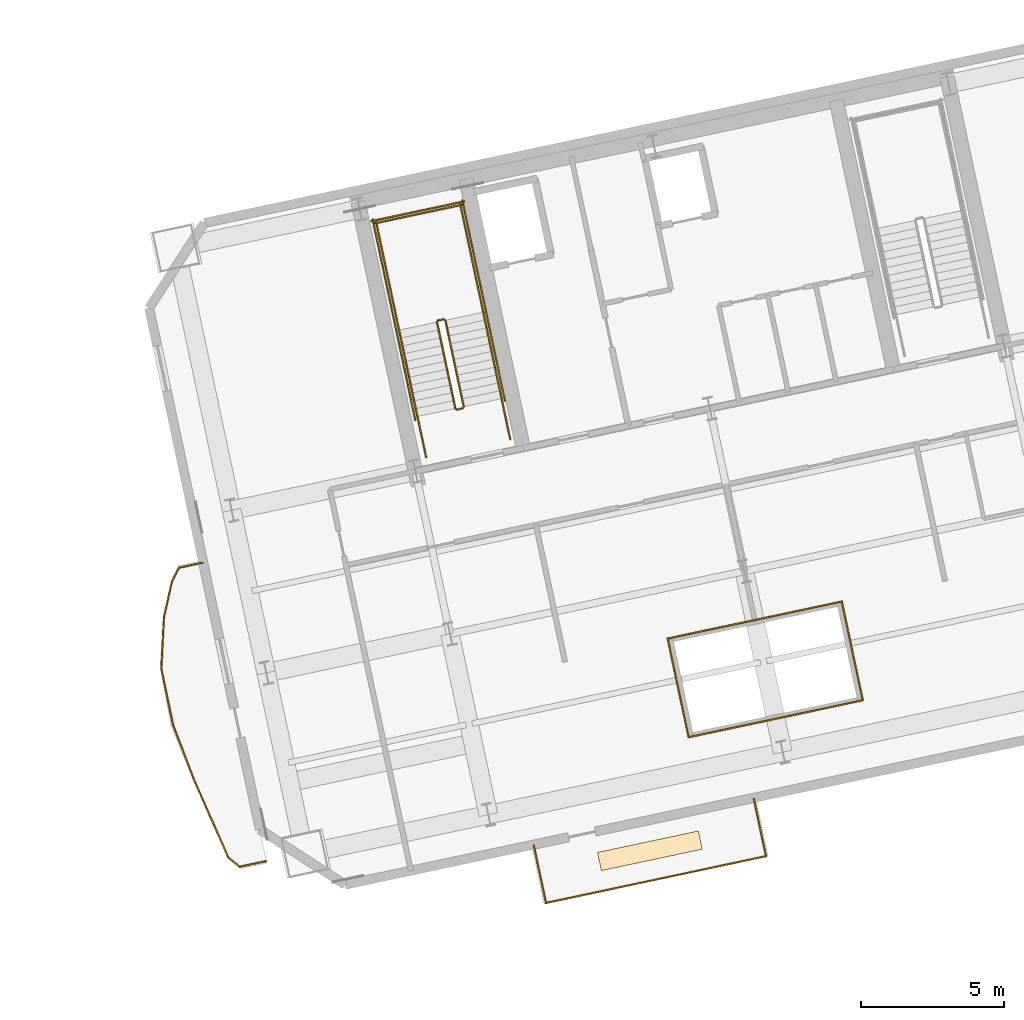
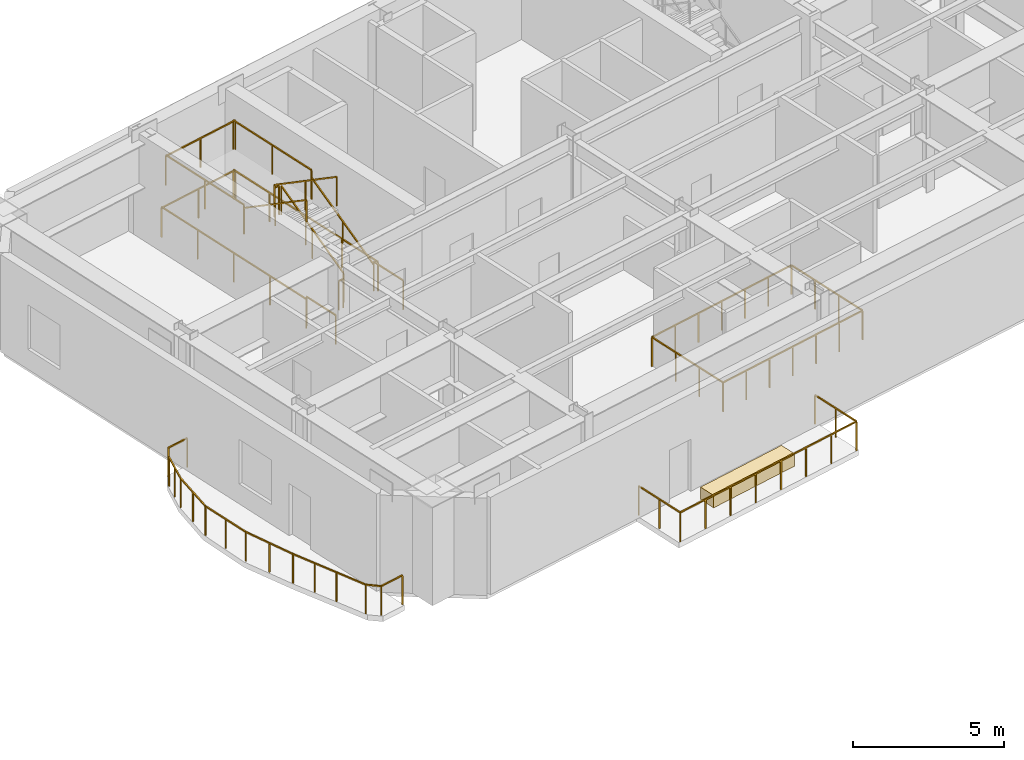
# One storey, part 14 of 15: 31 railings, 1 covering.
"""IFC4 building model written with IfcOpenShell, lengths in metres."""

from ifc_helpers import new_model, si_unit, direction, frame, origin, origin_2d, place, context, subcontext, project, spatial, rectangle, extrude, material, layer, layer_set, type_object, element, save


model = new_model("IFC4")

# Units and contexts
model_context = context("Model", 3, precision=1e-05, world=origin(), true_north=direction((0.0, 1.0)))
body_context = subcontext(model_context, "Body", "Model", "MODEL_VIEW")
ifc_project = project(units=[si_unit("LENGTHUNIT", "METRE"), si_unit("AREAUNIT", "SQUARE_METRE"), si_unit("VOLUMEUNIT", "CUBIC_METRE"), si_unit("PLANEANGLEUNIT", "RADIAN"), si_unit("MASSUNIT", "GRAM", prefix="KILO")], contexts=[model_context])

# Site, building, storey
site_placement = place(None, origin())
site = spatial("IfcSite", under=ifc_project, at=site_placement, CompositionType="ELEMENT")
building_placement = place(site_placement, origin())
building = spatial("IfcBuilding", under=site, at=building_placement, Name="Haevon Station Towers", CompositionType="ELEMENT")
storey_placement = place(building_placement, frame((0.0, 0.0, 129.60009765625)))
storey = spatial("IfcBuildingStorey", under=building, at=storey_placement, Name="L35", CompositionType="ELEMENT", Elevation=129.60009765625)

# Railings
ifc_material_1 = material(Name="Steel S355", Category="steel")
railing_type_1 = type_object("IfcRailingType", Name="BAL-ATR1200", PredefinedType="BALUSTRADE", material=ifc_material_1)
railing_1_placement = place(storey_placement, frame((108.28564453125, 28.16259765625, 0.0)))
element("IfcRailing", 1, at=railing_1_placement, inside=storey, type_object=railing_type_1, Name="L35 Atrium Void Balustrade 1", PredefinedType="BALUSTRADE", context=body_context, shape_type="SweptSolid", body=[
    extrude(rectangle(XDim=0.048095703125, YDim=0.048095703125, at=origin_2d()), frame((0.0, 0.0, 1.17578125), z_axis=(0.978152054879, 0.207890734609, 0.0), x_axis=(-0.207890734609, 0.978152054879, 0.0)), (0.0, 0.0, 1.0), 6.208984375),
    extrude(rectangle(XDim=0.0419921875, YDim=0.0419921875, at=origin_2d()), origin(), (0.0, 0.0, 1.0), 1.15185546875),
    extrude(rectangle(XDim=0.0419921875, YDim=0.0419921875, at=origin_2d()), frame((1.01220703125, 0.215087890625, 0.0)), (0.0, 0.0, 1.0), 1.15185546875),
    extrude(rectangle(XDim=0.0419921875, YDim=0.0419921875, at=origin_2d()), frame((2.0244140625, 0.43017578125, 0.0)), (0.0, 0.0, 1.0), 1.15185546875),
    extrude(rectangle(XDim=0.0419921875, YDim=0.0419921875, at=origin_2d()), frame((3.03662109375, 0.6455078125, 0.0)), (0.0, 0.0, 1.0), 1.15185546875),
    extrude(rectangle(XDim=0.0419921875, YDim=0.0419921875, at=origin_2d()), frame((4.048828125, 0.860595703125, 0.0)), (0.0, 0.0, 1.0), 1.15185546875),
    extrude(rectangle(XDim=0.0419921875, YDim=0.0419921875, at=origin_2d()), frame((5.06103515625, 1.07568359375, 0.0)), (0.0, 0.0, 1.0), 1.15185546875),
    extrude(rectangle(XDim=0.0419921875, YDim=0.0419921875, at=origin_2d()), frame((6.0732421875, 1.290771484375, 0.0)), (0.0, 0.0, 1.0), 1.15185546875),
])
railing_2_placement = place(storey_placement, frame((114.35888671875, 29.453369140625, 0.0)))
element("IfcRailing", 2, at=railing_2_placement, inside=storey, type_object=railing_type_1, Name="L35 Atrium Void Balustrade 2", PredefinedType="BALUSTRADE", context=body_context, shape_type="SweptSolid", body=[
    extrude(rectangle(XDim=0.048095703125, YDim=0.048095703125, at=origin_2d()), frame((0.0, 0.0, 1.17578125), z_axis=(-0.207964983384, 0.978136271532, 0.0), x_axis=(-0.978136271532, -0.207964983384, 0.0)), (0.0, 0.0, 1.0), 3.518310546875),
    extrude(rectangle(XDim=0.0419921875, YDim=0.0419921875, at=origin_2d()), origin(), (0.0, 0.0, 1.0), 1.15185546875),
    extrude(rectangle(XDim=0.0419921875, YDim=0.0419921875, at=origin_2d()), frame((-0.243896484375, 1.147216796875, 0.0)), (0.0, 0.0, 1.0), 1.15185546875),
    extrude(rectangle(XDim=0.0419921875, YDim=0.0419921875, at=origin_2d()), frame((-0.48779296875, 2.294189453125, 0.0)), (0.0, 0.0, 1.0), 1.15185546875),
    extrude(rectangle(XDim=0.0419921875, YDim=0.0419921875, at=origin_2d()), frame((-0.731689453125, 3.44140625, 0.0)), (0.0, 0.0, 1.0), 1.15185546875),
])
railing_3_placement = place(storey_placement, frame((113.627197265625, 32.894775390625, 0.0)))
element("IfcRailing", 3, at=railing_3_placement, inside=storey, type_object=railing_type_1, Name="L35 Atrium Void Balustrade 3", PredefinedType="BALUSTRADE", context=body_context, shape_type="SweptSolid", body=[
    extrude(rectangle(XDim=0.048095703125, YDim=0.048095703125, at=origin_2d()), frame((0.0, 0.0, 1.17578125), z_axis=(-0.978150355379, -0.20789873081, 0.0), x_axis=(0.20789873081, -0.978150355379, 0.0)), (0.0, 0.0, 1.0), 6.208740234375),
    extrude(rectangle(XDim=0.0419921875, YDim=0.0419921875, at=origin_2d()), origin(), (0.0, 0.0, 1.0), 1.15185546875),
    extrude(rectangle(XDim=0.0419921875, YDim=0.0419921875, at=origin_2d()), frame((-1.01220703125, -0.215087890625, 0.0)), (0.0, 0.0, 1.0), 1.15185546875),
    extrude(rectangle(XDim=0.0419921875, YDim=0.0419921875, at=origin_2d()), frame((-2.0244140625, -0.43017578125, 0.0)), (0.0, 0.0, 1.0), 1.15185546875),
    extrude(rectangle(XDim=0.0419921875, YDim=0.0419921875, at=origin_2d()), frame((-3.03662109375, -0.6455078125, 0.0)), (0.0, 0.0, 1.0), 1.15185546875),
    extrude(rectangle(XDim=0.0419921875, YDim=0.0419921875, at=origin_2d()), frame((-4.048583984375, -0.860595703125, 0.0)), (0.0, 0.0, 1.0), 1.15185546875),
    extrude(rectangle(XDim=0.0419921875, YDim=0.0419921875, at=origin_2d()), frame((-5.060791015625, -1.07568359375, 0.0)), (0.0, 0.0, 1.0), 1.15185546875),
    extrude(rectangle(XDim=0.0419921875, YDim=0.0419921875, at=origin_2d()), frame((-6.072998046875, -1.290771484375, 0.0)), (0.0, 0.0, 1.0), 1.15185546875),
])
railing_4_placement = place(storey_placement, frame((107.55419921875, 31.60400390625, 0.0)))
element("IfcRailing", 4, at=railing_4_placement, inside=storey, type_object=railing_type_1, Name="L35 Atrium Void Balustrade 4", PredefinedType="BALUSTRADE", context=body_context, shape_type="SweptSolid", body=[
    extrude(rectangle(XDim=0.048095703125, YDim=0.048095703125, at=origin_2d()), frame((0.0, 0.0, 1.17578125), z_axis=(0.207898592019, -0.978150384878, 0.0), x_axis=(0.978150384878, 0.207898592019, 0.0)), (0.0, 0.0, 1.0), 3.518310546875),
    extrude(rectangle(XDim=0.0419921875, YDim=0.0419921875, at=origin_2d()), origin(), (0.0, 0.0, 1.0), 1.15185546875),
    extrude(rectangle(XDim=0.0419921875, YDim=0.0419921875, at=origin_2d()), frame((0.243896484375, -1.147216796875, 0.0)), (0.0, 0.0, 1.0), 1.15185546875),
    extrude(rectangle(XDim=0.0419921875, YDim=0.0419921875, at=origin_2d()), frame((0.487548828125, -2.294189453125, 0.0)), (0.0, 0.0, 1.0), 1.15185546875),
    extrude(rectangle(XDim=0.0419921875, YDim=0.0419921875, at=origin_2d()), frame((0.7314453125, -3.44140625, 0.0)), (0.0, 0.0, 1.0), 1.15185546875),
])
railing_type_2 = type_object("IfcRailingType", Name="GRD-EXT1200", PredefinedType="GUARDRAIL", material=ifc_material_1)
railing_5_placement = place(storey_placement, frame((91.330322265625, 34.251708984375, 0.0)))
element("IfcRailing", 5, at=railing_5_placement, inside=storey, type_object=railing_type_2, Name="L35 Perimeter Guardrail 1", PredefinedType="GUARDRAIL", context=body_context, shape_type="SweptSolid", body=[
    extrude(rectangle(XDim=0.048095703125, YDim=0.048095703125, at=origin_2d()), frame((0.0, 0.0, 1.17578125), z_axis=(-0.977691431104, -0.210046341426, 0.0), x_axis=(0.210046341426, -0.977691431104, 0.0)), (0.0, 0.0, 1.0), 0.838134765625),
    extrude(rectangle(XDim=0.0419921875, YDim=0.0419921875, at=origin_2d()), origin(), (0.0, 0.0, 1.0), 1.15185546875),
    extrude(rectangle(XDim=0.0419921875, YDim=0.0419921875, at=origin_2d()), frame((-0.8193359375, -0.176025390625, 0.0)), (0.0, 0.0, 1.0), 1.15185546875),
])
railing_6_placement = place(storey_placement, frame((90.510986328125, 34.07568359375, 0.0)))
element("IfcRailing", 6, at=railing_6_placement, inside=storey, type_object=railing_type_2, Name="L35 Perimeter Guardrail 2", PredefinedType="GUARDRAIL", context=body_context, shape_type="SweptSolid", body=[
    extrude(rectangle(XDim=0.048095703125, YDim=0.048095703125, at=origin_2d()), frame((0.0, 0.0, 1.17578125), z_axis=(-0.46608472774, -0.884740089839, 0.0), x_axis=(0.884740089839, -0.46608472774, 0.0)), (0.0, 0.0, 1.0), 0.535400390625),
    extrude(rectangle(XDim=0.0419921875, YDim=0.0419921875, at=origin_2d()), origin(), (0.0, 0.0, 1.0), 1.15185546875),
    extrude(rectangle(XDim=0.0419921875, YDim=0.0419921875, at=origin_2d()), frame((-0.24951171875, -0.4736328125, 0.0)), (0.0, 0.0, 1.0), 1.15185546875),
])
railing_7_placement = place(storey_placement, frame((90.261474609375, 33.60205078125, 0.0)))
element("IfcRailing", 7, at=railing_7_placement, inside=storey, type_object=railing_type_2, Name="L35 Perimeter Guardrail 3", PredefinedType="GUARDRAIL", context=body_context, shape_type="SweptSolid", body=[
    extrude(rectangle(XDim=0.048095703125, YDim=0.048095703125, at=origin_2d()), frame((0.0, 0.0, 1.17578125), z_axis=(-0.217493077112, -0.976061863515, 0.0), x_axis=(0.976061863515, -0.217493077112, 0.0)), (0.0, 0.0, 1.0), 1.286376953125),
    extrude(rectangle(XDim=0.0419921875, YDim=0.0419921875, at=origin_2d()), origin(), (0.0, 0.0, 1.0), 1.15185546875),
    extrude(rectangle(XDim=0.0419921875, YDim=0.0419921875, at=origin_2d()), frame((-0.139892578125, -0.6279296875, 0.0)), (0.0, 0.0, 1.0), 1.15185546875),
    extrude(rectangle(XDim=0.0419921875, YDim=0.0419921875, at=origin_2d()), frame((-0.27978515625, -1.255615234375, 0.0)), (0.0, 0.0, 1.0), 1.15185546875),
])
railing_8_placement = place(storey_placement, frame((89.981689453125, 32.346435546875, 0.0)))
element("IfcRailing", 8, at=railing_8_placement, inside=storey, type_object=railing_type_2, Name="L35 Perimeter Guardrail 4", PredefinedType="GUARDRAIL", context=body_context, shape_type="SweptSolid", body=[
    extrude(rectangle(XDim=0.048095703125, YDim=0.048095703125, at=origin_2d()), frame((0.0, 0.0, 1.17578125), z_axis=(-0.050564718306, -0.998720786438, 0.0), x_axis=(0.998720786438, -0.050564718306, 0.0)), (0.0, 0.0, 1.0), 1.8056640625),
    extrude(rectangle(XDim=0.0419921875, YDim=0.0419921875, at=origin_2d()), origin(), (0.0, 0.0, 1.0), 1.15185546875),
    extrude(rectangle(XDim=0.0419921875, YDim=0.0419921875, at=origin_2d()), frame((-0.045654296875, -0.90185546875, 0.0)), (0.0, 0.0, 1.0), 1.15185546875),
    extrude(rectangle(XDim=0.0419921875, YDim=0.0419921875, at=origin_2d()), frame((-0.09130859375, -1.803466796875, 0.0)), (0.0, 0.0, 1.0), 1.15185546875),
])
railing_9_placement = place(storey_placement, frame((89.890380859375, 30.54296875, 0.0)))
element("IfcRailing", 9, at=railing_9_placement, inside=storey, type_object=railing_type_2, Name="L35 Perimeter Guardrail 5", PredefinedType="GUARDRAIL", context=body_context, shape_type="SweptSolid", body=[
    extrude(rectangle(XDim=0.048095703125, YDim=0.048095703125, at=origin_2d()), frame((0.0, 0.0, 1.17578125), z_axis=(0.207053251412, -0.978329674026, 0.0), x_axis=(0.978329674026, 0.207053251412, 0.0)), (0.0, 0.0, 1.0), 1.993896484375),
    extrude(rectangle(XDim=0.0419921875, YDim=0.0419921875, at=origin_2d()), origin(), (0.0, 0.0, 1.0), 1.15185546875),
    extrude(rectangle(XDim=0.0419921875, YDim=0.0419921875, at=origin_2d()), frame((0.20654296875, -0.975341796875, 0.0)), (0.0, 0.0, 1.0), 1.15185546875),
    extrude(rectangle(XDim=0.0419921875, YDim=0.0419921875, at=origin_2d()), frame((0.412841796875, -1.95068359375, 0.0)), (0.0, 0.0, 1.0), 1.15185546875),
])
railing_10_placement = place(storey_placement, frame((90.30322265625, 28.59228515625, 0.0)))
element("IfcRailing", 10, at=railing_10_placement, inside=storey, type_object=railing_type_2, Name="L35 Perimeter Guardrail 6", PredefinedType="GUARDRAIL", context=body_context, shape_type="SweptSolid", body=[
    extrude(rectangle(XDim=0.048095703125, YDim=0.048095703125, at=origin_2d()), frame((0.0, 0.0, 1.17578125), z_axis=(0.355450805627, -0.93469499024, 0.0), x_axis=(0.93469499024, 0.355450805627, 0.0)), (0.0, 0.0, 1.0), 2.013916015625),
    extrude(rectangle(XDim=0.0419921875, YDim=0.0419921875, at=origin_2d()), origin(), (0.0, 0.0, 1.0), 1.15185546875),
    extrude(rectangle(XDim=0.0419921875, YDim=0.0419921875, at=origin_2d()), frame((0.35791015625, -0.941162109375, 0.0)), (0.0, 0.0, 1.0), 1.15185546875),
    extrude(rectangle(XDim=0.0419921875, YDim=0.0419921875, at=origin_2d()), frame((0.7158203125, -1.88232421875, 0.0)), (0.0, 0.0, 1.0), 1.15185546875),
])
railing_11_placement = place(storey_placement, frame((91.01904296875, 26.7099609375, 0.0)))
element("IfcRailing", 11, at=railing_11_placement, inside=storey, type_object=railing_type_2, Name="L35 Perimeter Guardrail 7", PredefinedType="GUARDRAIL", context=body_context, shape_type="SweptSolid", body=[
    extrude(rectangle(XDim=0.048095703125, YDim=0.048095703125, at=origin_2d()), frame((0.0, 0.0, 1.17578125), z_axis=(0.402711127972, -0.9153271259, 0.0), x_axis=(0.9153271259, 0.402711127972, 0.0)), (0.0, 0.0, 1.0), 1.785888671875),
    extrude(rectangle(XDim=0.0419921875, YDim=0.0419921875, at=origin_2d()), origin(), (0.0, 0.0, 1.0), 1.15185546875),
    extrude(rectangle(XDim=0.0419921875, YDim=0.0419921875, at=origin_2d()), frame((0.359619140625, -0.8173828125, 0.0)), (0.0, 0.0, 1.0), 1.15185546875),
    extrude(rectangle(XDim=0.0419921875, YDim=0.0419921875, at=origin_2d()), frame((0.71923828125, -1.634765625, 0.0)), (0.0, 0.0, 1.0), 1.15185546875),
])
railing_12_placement = place(storey_placement, frame((91.73828125, 25.0751953125, 0.0)))
element("IfcRailing", 12, at=railing_12_placement, inside=storey, type_object=railing_type_2, Name="L35 Perimeter Guardrail 8", PredefinedType="GUARDRAIL", context=body_context, shape_type="SweptSolid", body=[
    extrude(rectangle(XDim=0.048095703125, YDim=0.048095703125, at=origin_2d()), frame((0.0, 0.0, 1.17578125), z_axis=(0.401279670105, -0.915955580998, 0.0), x_axis=(0.915955580998, 0.401279670105, 0.0)), (0.0, 0.0, 1.0), 1.19482421875),
    extrude(rectangle(XDim=0.0419921875, YDim=0.0419921875, at=origin_2d()), origin(), (0.0, 0.0, 1.0), 1.15185546875),
    extrude(rectangle(XDim=0.0419921875, YDim=0.0419921875, at=origin_2d()), frame((0.4794921875, -1.094482421875, 0.0)), (0.0, 0.0, 1.0), 1.15185546875),
])
railing_13_placement = place(storey_placement, frame((92.2177734375, 23.980712890625, 0.0)))
element("IfcRailing", 13, at=railing_13_placement, inside=storey, type_object=railing_type_2, Name="L35 Perimeter Guardrail 9", PredefinedType="GUARDRAIL", context=body_context, shape_type="SweptSolid", body=[
    extrude(rectangle(XDim=0.048095703125, YDim=0.048095703125, at=origin_2d()), frame((0.0, 0.0, 1.17578125), z_axis=(0.768335981944, -0.640046731771, 0.0), x_axis=(0.640046731771, 0.768335981944, 0.0)), (0.0, 0.0, 1.0), 0.5234375),
    extrude(rectangle(XDim=0.0419921875, YDim=0.0419921875, at=origin_2d()), origin(), (0.0, 0.0, 1.0), 1.15185546875),
    extrude(rectangle(XDim=0.0419921875, YDim=0.0419921875, at=origin_2d()), frame((0.402099609375, -0.3349609375, 0.0)), (0.0, 0.0, 1.0), 1.15185546875),
])
railing_14_placement = place(storey_placement, frame((92.619873046875, 23.645751953125, 0.0)))
element("IfcRailing", 14, at=railing_14_placement, inside=storey, type_object=railing_type_2, Name="L35 Perimeter Guardrail 10", PredefinedType="GUARDRAIL", context=body_context, shape_type="SweptSolid", body=[
    extrude(rectangle(XDim=0.048095703125, YDim=0.048095703125, at=origin_2d()), frame((0.0, 0.0, 1.17578125), z_axis=(0.978560764673, 0.205958320645, 0.0), x_axis=(-0.205958320645, 0.978560764673, 0.0)), (0.0, 0.0, 1.0), 0.943603515625),
    extrude(rectangle(XDim=0.0419921875, YDim=0.0419921875, at=origin_2d()), origin(), (0.0, 0.0, 1.0), 1.15185546875),
    extrude(rectangle(XDim=0.0419921875, YDim=0.0419921875, at=origin_2d()), frame((0.92333984375, 0.1943359375, 0.0)), (0.0, 0.0, 1.0), 1.15185546875),
])
railing_15_placement = place(storey_placement, frame((103.310791015625, 22.38134765625, 0.0)))
element("IfcRailing", 15, at=railing_15_placement, inside=storey, type_object=railing_type_2, Name="L35 Perimeter Guardrail 1", PredefinedType="GUARDRAIL", context=body_context, shape_type="SweptSolid", body=[
    extrude(rectangle(XDim=0.048095703125, YDim=0.048095703125, at=origin_2d()), frame((0.0, 0.0, 1.17578125), z_axis=(0.978148093399, 0.207909372996, 0.0), x_axis=(-0.207909372996, 0.978148093399, 0.0)), (0.0, 0.0, 1.0), 7.84521484375),
    extrude(rectangle(XDim=0.0419921875, YDim=0.0419921875, at=origin_2d()), origin(), (0.0, 0.0, 1.0), 1.15185546875),
    extrude(rectangle(XDim=0.0419921875, YDim=0.0419921875, at=origin_2d()), frame((1.09619140625, 0.23291015625, 0.0)), (0.0, 0.0, 1.0), 1.15185546875),
    extrude(rectangle(XDim=0.0419921875, YDim=0.0419921875, at=origin_2d()), frame((2.192626953125, 0.466064453125, 0.0)), (0.0, 0.0, 1.0), 1.15185546875),
    extrude(rectangle(XDim=0.0419921875, YDim=0.0419921875, at=origin_2d()), frame((3.288818359375, 0.698974609375, 0.0)), (0.0, 0.0, 1.0), 1.15185546875),
    extrude(rectangle(XDim=0.0419921875, YDim=0.0419921875, at=origin_2d()), frame((4.385009765625, 0.93212890625, 0.0)), (0.0, 0.0, 1.0), 1.15185546875),
    extrude(rectangle(XDim=0.0419921875, YDim=0.0419921875, at=origin_2d()), frame((5.481201171875, 1.1650390625, 0.0)), (0.0, 0.0, 1.0), 1.15185546875),
    extrude(rectangle(XDim=0.0419921875, YDim=0.0419921875, at=origin_2d()), frame((6.57763671875, 1.398193359375, 0.0)), (0.0, 0.0, 1.0), 1.15185546875),
    extrude(rectangle(XDim=0.0419921875, YDim=0.0419921875, at=origin_2d()), frame((7.673828125, 1.631103515625, 0.0)), (0.0, 0.0, 1.0), 1.15185546875),
])
railing_16_placement = place(storey_placement, frame((110.984619140625, 24.012451171875, 0.0)))
element("IfcRailing", 16, at=railing_16_placement, inside=storey, type_object=railing_type_2, Name="L35 Perimeter Guardrail 2", PredefinedType="GUARDRAIL", context=body_context, shape_type="SweptSolid", body=[
    extrude(rectangle(XDim=0.048095703125, YDim=0.048095703125, at=origin_2d()), frame((0.0, 0.0, 1.17578125), z_axis=(-0.207962507169, 0.978136798005, 0.0), x_axis=(-0.978136798005, -0.207962507169, 0.0)), (0.0, 0.0, 1.0), 2.054443359375),
    extrude(rectangle(XDim=0.0419921875, YDim=0.0419921875, at=origin_2d()), origin(), (0.0, 0.0, 1.0), 1.15185546875),
    extrude(rectangle(XDim=0.0419921875, YDim=0.0419921875, at=origin_2d()), frame((-0.213623046875, 1.0048828125, 0.0)), (0.0, 0.0, 1.0), 1.15185546875),
    extrude(rectangle(XDim=0.0419921875, YDim=0.0419921875, at=origin_2d()), frame((-0.42724609375, 2.009521484375, 0.0)), (0.0, 0.0, 1.0), 1.15185546875),
])
railing_17_placement = place(storey_placement, frame((102.883544921875, 24.390869140625, 0.0)))
element("IfcRailing", 17, at=railing_17_placement, inside=storey, type_object=railing_type_2, Name="L35 Perimeter Guardrail 3", PredefinedType="GUARDRAIL", context=body_context, shape_type="SweptSolid", body=[
    extrude(rectangle(XDim=0.048095703125, YDim=0.048095703125, at=origin_2d()), frame((0.0, 0.0, 1.17578125), z_axis=(0.207962507169, -0.978136798005, 0.0), x_axis=(0.978136798005, 0.207962507169, 0.0)), (0.0, 0.0, 1.0), 2.054443359375),
    extrude(rectangle(XDim=0.0419921875, YDim=0.0419921875, at=origin_2d()), origin(), (0.0, 0.0, 1.0), 1.15185546875),
    extrude(rectangle(XDim=0.0419921875, YDim=0.0419921875, at=origin_2d()), frame((0.213623046875, -1.0048828125, 0.0)), (0.0, 0.0, 1.0), 1.15185546875),
    extrude(rectangle(XDim=0.0419921875, YDim=0.0419921875, at=origin_2d()), frame((0.42724609375, -2.009521484375, 0.0)), (0.0, 0.0, 1.0), 1.15185546875),
])
railing_type_3 = type_object("IfcRailingType", Name="GRD-STR1200", PredefinedType="GUARDRAIL", material=ifc_material_1)
railing_18_placement = place(storey_placement, frame((100.44140625, 39.69287109375, 0.1748046875)))
element("IfcRailing", 18, at=railing_18_placement, inside=storey, type_object=railing_type_3, Name="L35 ST3 Stair Guard 1", PredefinedType="GUARDRAIL", context=body_context, shape_type="SweptSolid", body=[
    extrude(rectangle(XDim=0.048095703125, YDim=0.048095703125, at=origin_2d()), frame((0.0, 0.0, 1.17578125), z_axis=(-0.176310905062, 0.829461139329, 0.53000819154), x_axis=(-0.978146762005, -0.207915636689, 0.0)), (0.0, 0.0, 1.0), 3.632080078125),
    extrude(rectangle(XDim=0.0419921875, YDim=0.0419921875, at=origin_2d()), origin(), (0.0, 0.0, 1.0), 1.15185546875),
    extrude(rectangle(XDim=0.0419921875, YDim=0.0419921875, at=origin_2d()), frame((-0.3203125, 1.50634765625, 0.96240234375)), (0.0, 0.0, 1.0), 1.15185546875),
    extrude(rectangle(XDim=0.0419921875, YDim=0.0419921875, at=origin_2d()), frame((-0.640380859375, 3.0126953125, 1.925048828125)), (0.0, 0.0, 1.0), 1.15185546875),
])
railing_19_placement = place(storey_placement, frame((99.74169921875, 42.743896484375, 2.099853515625)))
element("IfcRailing", 19, at=railing_19_placement, inside=storey, type_object=railing_type_3, Name="L35 ST3 Stair Guard 2", PredefinedType="GUARDRAIL", context=body_context, shape_type="SweptSolid", body=[
    extrude(rectangle(XDim=0.048095703125, YDim=0.048095703125, at=origin_2d()), frame((0.0, 0.0, 1.17578125), z_axis=(-0.978211583308, -0.207610448392, 0.0), x_axis=(0.207610448392, -0.978211583308, 0.0)), (0.0, 0.0, 1.0), 0.199951171875),
    extrude(rectangle(XDim=0.0419921875, YDim=0.0419921875, at=origin_2d()), origin(), (0.0, 0.0, 1.0), 1.15185546875),
    extrude(rectangle(XDim=0.0419921875, YDim=0.0419921875, at=origin_2d()), frame((-0.195556640625, -0.04150390625, 0.0)), (0.0, 0.0, 1.0), 1.15185546875),
])
railing_20_placement = place(storey_placement, frame((101.12158203125, 42.986083984375, 2.099853515625)))
element("IfcRailing", 20, at=railing_20_placement, inside=storey, type_object=railing_type_3, Name="L35 ST3 Stair Guard 3", PredefinedType="GUARDRAIL", context=body_context, shape_type="SweptSolid", body=[
    extrude(rectangle(XDim=0.048095703125, YDim=0.048095703125, at=origin_2d()), frame((0.0, 0.0, 1.17578125), z_axis=(-0.207930432828, 0.978143616809, 0.0), x_axis=(-0.978143616809, -0.207930432828, 0.0)), (0.0, 0.0, 1.0), 3.869873046875),
    extrude(rectangle(XDim=0.0419921875, YDim=0.0419921875, at=origin_2d()), origin(), (0.0, 0.0, 1.0), 1.15185546875),
    extrude(rectangle(XDim=0.0419921875, YDim=0.0419921875, at=origin_2d()), frame((-0.40234375, 1.892578125, 0.0)), (0.0, 0.0, 1.0), 1.15185546875),
    extrude(rectangle(XDim=0.0419921875, YDim=0.0419921875, at=origin_2d()), frame((-0.8046875, 3.785400390625, 0.0)), (0.0, 0.0, 1.0), 1.15185546875),
])
railing_21_placement = place(storey_placement, frame((98.18701171875, 42.3623046875, 2.099853515625)))
element("IfcRailing", 21, at=railing_21_placement, inside=storey, type_object=railing_type_3, Name="L35 ST3 Stair Guard 4", PredefinedType="GUARDRAIL", context=body_context, shape_type="SweptSolid", body=[
    extrude(rectangle(XDim=0.048095703125, YDim=0.048095703125, at=origin_2d()), frame((0.0, 0.0, 1.17578125), z_axis=(-0.207857246892, 0.978159171564, 0.0), x_axis=(-0.978159171564, -0.207857246892, 0.0)), (0.0, 0.0, 1.0), 3.8701171875),
    extrude(rectangle(XDim=0.0419921875, YDim=0.0419921875, at=origin_2d()), origin(), (0.0, 0.0, 1.0), 1.15185546875),
    extrude(rectangle(XDim=0.0419921875, YDim=0.0419921875, at=origin_2d()), frame((-0.40234375, 1.892822265625, 0.0)), (0.0, 0.0, 1.0), 1.15185546875),
    extrude(rectangle(XDim=0.0419921875, YDim=0.0419921875, at=origin_2d()), frame((-0.804443359375, 3.78564453125, 0.0)), (0.0, 0.0, 1.0), 1.15185546875),
])
railing_22_placement = place(storey_placement, frame((100.376220703125, 46.733154296875, 2.099853515625)))
element("IfcRailing", 22, at=railing_22_placement, inside=storey, type_object=railing_type_3, Name="L35 ST3 Stair Guard 5", PredefinedType="GUARDRAIL", context=body_context, shape_type="SweptSolid", body=[
    extrude(rectangle(XDim=0.048095703125, YDim=0.048095703125, at=origin_2d()), frame((0.0, 0.0, 1.17578125), z_axis=(-0.978146839882, -0.207915270313, 0.0), x_axis=(0.207915270313, -0.978146839882, 0.0)), (0.0, 0.0, 1.0), 3.099853515625),
    extrude(rectangle(XDim=0.0419921875, YDim=0.0419921875, at=origin_2d()), origin(), (0.0, 0.0, 1.0), 1.15185546875),
    extrude(rectangle(XDim=0.0419921875, YDim=0.0419921875, at=origin_2d()), frame((-1.51611328125, -0.322265625, 0.0)), (0.0, 0.0, 1.0), 1.15185546875),
    extrude(rectangle(XDim=0.0419921875, YDim=0.0419921875, at=origin_2d()), frame((-3.0322265625, -0.64453125, 0.0)), (0.0, 0.0, 1.0), 1.15185546875),
])
railing_23_placement = place(storey_placement, frame((99.507568359375, 42.64306640625, 2.27490234375)))
element("IfcRailing", 23, at=railing_23_placement, inside=storey, type_object=railing_type_3, Name="L35 ST3 Stair Guard 6", PredefinedType="GUARDRAIL", context=body_context, shape_type="SweptSolid", body=[
    extrude(rectangle(XDim=0.048095703125, YDim=0.048095703125, at=origin_2d()), frame((0.0, 0.0, 1.17578125), z_axis=(0.176310905062, -0.829461139329, 0.53000819154), x_axis=(0.978146762005, 0.207915636689, 0.0)), (0.0, 0.0, 1.0), 3.632080078125),
    extrude(rectangle(XDim=0.0419921875, YDim=0.0419921875, at=origin_2d()), origin(), (0.0, 0.0, 1.0), 1.15185546875),
    extrude(rectangle(XDim=0.0419921875, YDim=0.0419921875, at=origin_2d()), frame((0.3203125, -1.50634765625, 0.96240234375)), (0.0, 0.0, 1.0), 1.15185546875),
    extrude(rectangle(XDim=0.0419921875, YDim=0.0419921875, at=origin_2d()), frame((0.640380859375, -3.0126953125, 1.925048828125)), (0.0, 0.0, 1.0), 1.15185546875),
])
railing_24_placement = place(storey_placement, frame((100.40283203125, 39.633544921875, 0.0)))
element("IfcRailing", 24, at=railing_24_placement, inside=storey, type_object=railing_type_3, Name="L35 ST3 Stair Guard 7", PredefinedType="GUARDRAIL", context=body_context, shape_type="SweptSolid", body=[
    extrude(rectangle(XDim=0.048095703125, YDim=0.048095703125, at=origin_2d()), frame((0.0, 0.0, 1.17578125), z_axis=(-0.977962931203, -0.208778603291, 0.0), x_axis=(0.208778603291, -0.977962931203, 0.0)), (0.0, 0.0, 1.0), 0.199951171875),
    extrude(rectangle(XDim=0.0419921875, YDim=0.0419921875, at=origin_2d()), origin(), (0.0, 0.0, 1.0), 1.15185546875),
    extrude(rectangle(XDim=0.0419921875, YDim=0.0419921875, at=origin_2d()), frame((-0.195556640625, -0.041748046875, 0.0)), (0.0, 0.0, 1.0), 1.15185546875),
])
for number, where, name in (
    (25, (102.0634765625, 38.55517578125, 0.0), "L35 ST3 Stair Guard 8"),
    (26, (99.12890625, 37.931396484375, 0.0), "L35 ST3 Stair Guard 9"),
):
    element("IfcRailing", number, at=place(storey_placement, frame(where)), inside=storey, type_object=railing_type_3, Name=name, PredefinedType="GUARDRAIL", context=body_context, shape_type="SweptSolid", body=[
        extrude(rectangle(XDim=0.048095703125, YDim=0.048095703125, at=origin_2d()), frame((0.0, 0.0, 1.17578125), z_axis=(-0.207953405961, 0.978138732977, 0.0), x_axis=(-0.978138732977, -0.207953405961, 0.0)), (0.0, 0.0, 1.0), 1.449951171875),
        extrude(rectangle(XDim=0.0419921875, YDim=0.0419921875, at=origin_2d()), origin(), (0.0, 0.0, 1.0), 1.15185546875),
        extrude(rectangle(XDim=0.0419921875, YDim=0.0419921875, at=origin_2d()), frame((-0.301513671875, 1.418212890625, 0.0)), (0.0, 0.0, 1.0), 1.15185546875),
    ])
railing_25_placement = place(storey_placement, frame((101.88037109375, 39.896484375, 0.0)))
element("IfcRailing", 27, at=railing_25_placement, inside=storey, type_object=railing_type_3, Name="L35 ST3 Stair Guard 10", PredefinedType="GUARDRAIL", context=body_context, shape_type="SweptSolid", body=[
    extrude(rectangle(XDim=0.048095703125, YDim=0.048095703125, at=origin_2d()), frame((0.0, 0.0, 1.17578125), z_axis=(-0.207882442208, 0.978153817261, 0.0), x_axis=(-0.978153817261, -0.207882442208, 0.0)), (0.0, 0.0, 1.0), 7.14990234375),
    extrude(rectangle(XDim=0.0419921875, YDim=0.0419921875, at=origin_2d()), origin(), (0.0, 0.0, 1.0), 1.15185546875),
    extrude(rectangle(XDim=0.0419921875, YDim=0.0419921875, at=origin_2d()), frame((-0.37158203125, 1.74853515625, 0.0)), (0.0, 0.0, 1.0), 1.15185546875),
    extrude(rectangle(XDim=0.0419921875, YDim=0.0419921875, at=origin_2d()), frame((-0.7431640625, 3.496826171875, 0.0)), (0.0, 0.0, 1.0), 1.15185546875),
    extrude(rectangle(XDim=0.0419921875, YDim=0.0419921875, at=origin_2d()), frame((-1.11474609375, 5.2451171875, 0.0)), (0.0, 0.0, 1.0), 1.15185546875),
    extrude(rectangle(XDim=0.0419921875, YDim=0.0419921875, at=origin_2d()), frame((-1.486328125, 6.99365234375, 0.0)), (0.0, 0.0, 1.0), 1.15185546875),
])
railing_26_placement = place(storey_placement, frame((98.75048828125, 39.231201171875, 0.0)))
element("IfcRailing", 28, at=railing_26_placement, inside=storey, type_object=railing_type_3, Name="L35 ST3 Stair Guard 11", PredefinedType="GUARDRAIL", context=body_context, shape_type="SweptSolid", body=[
    extrude(rectangle(XDim=0.048095703125, YDim=0.048095703125, at=origin_2d()), frame((0.0, 0.0, 1.17578125), z_axis=(-0.207915112487, 0.978146873429, 0.0), x_axis=(-0.978146873429, -0.207915112487, 0.0)), (0.0, 0.0, 1.0), 7.14990234375),
    extrude(rectangle(XDim=0.0419921875, YDim=0.0419921875, at=origin_2d()), origin(), (0.0, 0.0, 1.0), 1.15185546875),
    extrude(rectangle(XDim=0.0419921875, YDim=0.0419921875, at=origin_2d()), frame((-0.37158203125, 1.74853515625, 0.0)), (0.0, 0.0, 1.0), 1.15185546875),
    extrude(rectangle(XDim=0.0419921875, YDim=0.0419921875, at=origin_2d()), frame((-0.7431640625, 3.496826171875, 0.0)), (0.0, 0.0, 1.0), 1.15185546875),
    extrude(rectangle(XDim=0.0419921875, YDim=0.0419921875, at=origin_2d()), frame((-1.114990234375, 5.2451171875, 0.0)), (0.0, 0.0, 1.0), 1.15185546875),
    extrude(rectangle(XDim=0.0419921875, YDim=0.0419921875, at=origin_2d()), frame((-1.486572265625, 6.99365234375, 0.0)), (0.0, 0.0, 1.0), 1.15185546875),
])
railing_27_placement = place(storey_placement, frame((100.453125, 46.8515625, 0.0)))
element("IfcRailing", 29, at=railing_27_placement, inside=storey, type_object=railing_type_3, Name="L35 ST3 Stair Guard 12", PredefinedType="GUARDRAIL", context=body_context, shape_type="SweptSolid", body=[
    extrude(rectangle(XDim=0.048095703125, YDim=0.048095703125, at=origin_2d()), frame((0.0, 0.0, 1.17578125), z_axis=(-0.978150764849, -0.207896804268, 0.0), x_axis=(0.207896804268, -0.978150764849, 0.0)), (0.0, 0.0, 1.0), 3.2998046875),
    extrude(rectangle(XDim=0.0419921875, YDim=0.0419921875, at=origin_2d()), origin(), (0.0, 0.0, 1.0), 1.15185546875),
    extrude(rectangle(XDim=0.0419921875, YDim=0.0419921875, at=origin_2d()), frame((-1.61376953125, -0.343017578125, 0.0)), (0.0, 0.0, 1.0), 1.15185546875),
    extrude(rectangle(XDim=0.0419921875, YDim=0.0419921875, at=origin_2d()), frame((-3.227783203125, -0.68603515625, 0.0)), (0.0, 0.0, 1.0), 1.15185546875),
])
railing_type_4 = type_object("IfcRailingType", Name="HND-STR900", PredefinedType="HANDRAIL", material=ifc_material_1)
railing_28_placement = place(storey_placement, frame((101.761962890625, 39.973388671875, 0.1748046875)))
element("IfcRailing", 30, at=railing_28_placement, inside=storey, type_object=railing_type_4, Name="L35 ST3 Stair Handrail 1", PredefinedType="HANDRAIL", context=body_context, shape_type="SweptSolid", body=[
    extrude(rectangle(XDim=0.048095703125, YDim=0.048095703125, at=origin_2d()), frame((0.0, 0.0, 0.8759765625), z_axis=(-0.176310905062, 0.829461139329, 0.53000819154), x_axis=(-0.978146762005, -0.207915636689, 0.0)), (0.0, 0.0, 1.0), 3.632080078125),
    extrude(rectangle(XDim=0.0419921875, YDim=0.0419921875, at=origin_2d()), origin(), (0.0, 0.0, 1.0), 0.851806640625),
    extrude(rectangle(XDim=0.0419921875, YDim=0.0419921875, at=origin_2d()), frame((-0.3203125, 1.50634765625, 0.96240234375)), (0.0, 0.0, 1.0), 0.851806640625),
    extrude(rectangle(XDim=0.0419921875, YDim=0.0419921875, at=origin_2d()), frame((-0.640380859375, 3.0126953125, 1.925048828125)), (0.0, 0.0, 1.0), 0.851806640625),
])
railing_29_placement = place(storey_placement, frame((98.18701171875, 42.3623046875, 2.27490234375)))
element("IfcRailing", 31, at=railing_29_placement, inside=storey, type_object=railing_type_4, Name="L35 ST3 Stair Handrail 2", PredefinedType="HANDRAIL", context=body_context, shape_type="SweptSolid", body=[
    extrude(rectangle(XDim=0.048095703125, YDim=0.048095703125, at=origin_2d()), frame((0.0, 0.0, 0.8759765625), z_axis=(0.176310905062, -0.829461139329, 0.53000819154), x_axis=(0.978146762005, 0.207915636689, 0.0)), (0.0, 0.0, 1.0), 3.632080078125),
    extrude(rectangle(XDim=0.0419921875, YDim=0.0419921875, at=origin_2d()), origin(), (0.0, 0.0, 1.0), 0.851806640625),
    extrude(rectangle(XDim=0.0419921875, YDim=0.0419921875, at=origin_2d()), frame((0.3203125, -1.50634765625, 0.96240234375)), (0.0, 0.0, 1.0), 0.851806640625),
    extrude(rectangle(XDim=0.0419921875, YDim=0.0419921875, at=origin_2d()), frame((0.640380859375, -3.0126953125, 1.925048828125)), (0.0, 0.0, 1.0), 0.851806640625),
])

# Covering
ifc_material_2 = material(Name="Architectural planter GRC", Category="concrete")
ifc_layer = layer(ifc_material_2, 0.550048828125)
ifc_layer_set = layer_set([ifc_layer], Name="Architectural planter GRC")
covering_type = type_object("IfcCoveringType", Name="PLN-GRC550", PredefinedType="MOLDING", material=ifc_layer_set)
covering_placement = place(storey_placement, frame((106.93408203125, 24.20166015625, 0.0), z_axis=(0.0, 0.0, 1.0), x_axis=(0.978147600734, 0.207911690818, 0.0)))
element("IfcCovering", 32, at=covering_placement, inside=storey, type_object=covering_type, Name="Tower 2 L35 Facade Trough PLANTER", PredefinedType="MOLDING", context=body_context, shape_type="SweptSolid", body=[
    extrude(rectangle(XDim=3.60009765625, YDim=0.64990234375, at=origin_2d()), origin(), (0.0, 0.0, 1.0), 0.5),
])

save(model, "model.ifc")
